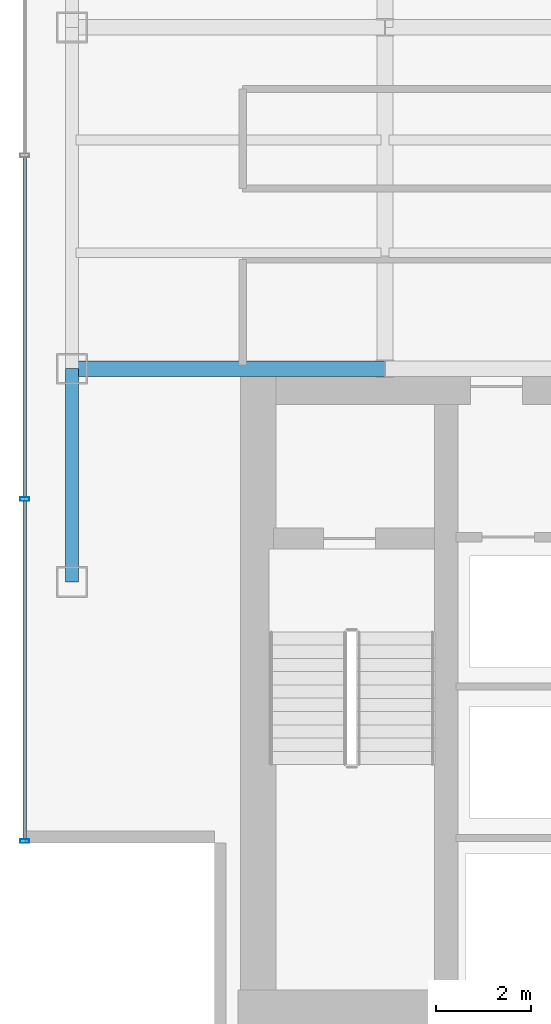
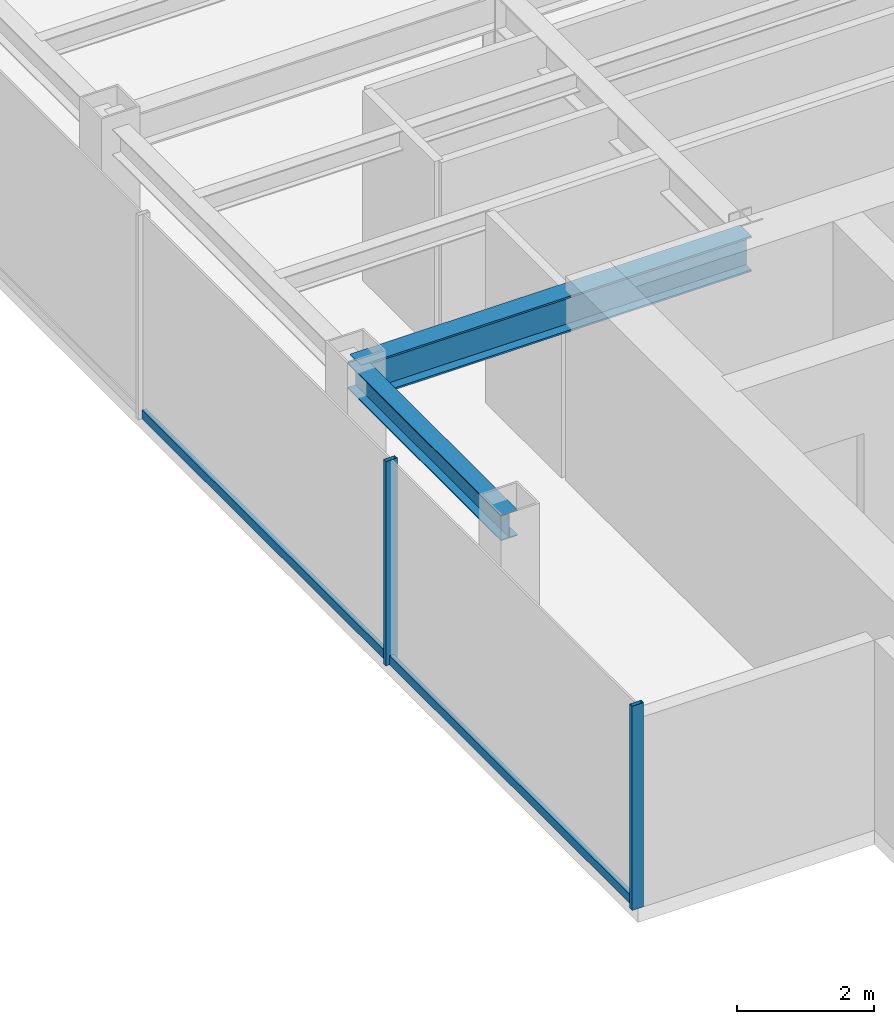
# One storey, part 3 of 25: 4 members, 2 beams, 1 element without a shape of its own.
"""IFC4 building model written with IfcOpenShell, lengths in metres."""

from ifc_helpers import new_model, si_unit, derived_unit, direction, frame, origin, origin_2d, place, context, subcontext, project, spatial, hollow_rectangle, i_section, extrude, source, transform, mapped, material, material_profile, profile_set, type_object, element, aggregate, save


model = new_model("IFC4")

# Units and contexts
model_context = context("Model", 3, precision=1e-05, world=origin(), true_north=direction((0.0, 1.0)))
body_context = subcontext(model_context, "Body", "Model", "MODEL_VIEW")
ifc_project = project(units=[si_unit("LENGTHUNIT", "METRE"), si_unit("AREAUNIT", "SQUARE_METRE"), si_unit("VOLUMEUNIT", "CUBIC_METRE"), si_unit("PLANEANGLEUNIT", "RADIAN"), si_unit("MASSUNIT", "GRAM", prefix="KILO"), derived_unit("THERMALTRANSMITTANCEUNIT", [(si_unit("POWERUNIT", "WATT"), 1), (si_unit("LENGTHUNIT", "METRE"), -2), (si_unit("THERMODYNAMICTEMPERATUREUNIT", "KELVIN"), -1)])], contexts=[model_context])

# Site, building, storey
site_placement = place(None, origin())
site = spatial("IfcSite", under=ifc_project, at=site_placement, CompositionType="ELEMENT")
building_placement = place(site_placement, origin())
building = spatial("IfcBuilding", under=site, at=building_placement, Name="Skarnbrae Concourse Arena and Tower", CompositionType="ELEMENT")
storey_placement = place(building_placement, frame((0.0, 0.0, 177.10009765625)))
storey = spatial("IfcBuildingStorey", under=building, at=storey_placement, Name="L45", CompositionType="ELEMENT", Elevation=177.10009765625)

# Beams
ifc_material_1 = material(Name="Steel CSA G40.21 350W", Category="steel")
ifc_material_profile_1 = material_profile(ifc_material_1, i_section(OverallWidth=0.3291015625, OverallDepth=0.635009765625, WebThickness=0.017822265625, FlangeThickness=0.031005859375, at=origin_2d()), Name="W610X241")
ifc_profile_set_1 = profile_set([ifc_material_profile_1], Name="Steel CSA G40.21 350W")
beam_type_1 = type_object("IfcBeamType", Name="BM-GIRD-W610X241", PredefinedType="BEAM", material=ifc_profile_set_1)
shared_shape_1 = source(origin(), body_context, "Body", "SweptSolid", [
    extrude(i_section(OverallWidth=0.3291015625, OverallDepth=0.635009765625, WebThickness=0.017822265625, FlangeThickness=0.031005859375, at=origin_2d()), origin(), (0.0, 0.0, 1.0), 6.60009765625),
])
beam_1_placement = place(storey_placement, frame((1.0, 14.0, 3.08251953125), z_axis=(1.0, 0.0, 0.0), x_axis=(0.0, 1.0, 0.0)))
element("IfcBeam", 1, at=beam_1_placement, inside=storey, type_object=beam_type_1, Name="L45 Primary E-W girder Y14.0-1", PredefinedType="BEAM", context=body_context, shape_type="MappedRepresentation", body=[
    mapped(shared_shape_1, transform((0.0, 0.0, 0.0))),
])
ifc_material_profile_2 = material_profile(ifc_material_1, i_section(OverallWidth=0.280029296875, OverallDepth=0.462890625, WebThickness=0.0107421875, FlangeThickness=0.017333984375, at=origin_2d()), Name="W460X113")
ifc_profile_set_2 = profile_set([ifc_material_profile_2], Name="Steel CSA G40.21 350W")
beam_type_2 = type_object("IfcBeamType", Name="BM-SPAN-W460X113", PredefinedType="SPANDREL", material=ifc_profile_set_2)
shared_shape_2 = source(origin(), body_context, "Body", "SweptSolid", [
    extrude(i_section(OverallWidth=0.280029296875, OverallDepth=0.462890625, WebThickness=0.0107421875, FlangeThickness=0.017333984375, at=origin_2d()), origin(), (0.0, 0.0, 1.0), 4.5),
])
beam_2_placement = place(storey_placement, frame((1.0, 9.5, 3.16845703125), z_axis=(0.0, 1.0, 0.0), x_axis=(-1.0, 0.0, 0.0)))
element("IfcBeam", 2, at=beam_2_placement, inside=storey, type_object=beam_type_2, Name="L45 Perimeter spandrel X1.0-1", PredefinedType="SPANDREL", context=body_context, shape_type="MappedRepresentation", body=[
    mapped(shared_shape_2, transform((0.0, 0.0, 0.0))),
])

# Curtain wall, members
ifc_material_2 = material(Name="Bronze anodised aluminium 6063-T6", Category="aluminium")
curtain_wall_type = type_object("IfcCurtainWallType", Name="CW-SYS-04-MIDZONE", PredefinedType="USERDEFINED", material=ifc_material_2)
curtain_wall_placement = place(storey_placement, origin())
curtain_wall = element("IfcCurtainWall", 3, at=curtain_wall_placement, inside=storey, type_object=curtain_wall_type, Name="L45 Unitised curtain wall CW-L45-E18", ObjectType="UNITISED CURTAIN WALL", PredefinedType="USERDEFINED")
ifc_material_profile_3 = material_profile(ifc_material_2, hollow_rectangle(XDim=0.074951171875, YDim=0.195068359375, WallThickness=0.00439453125, at=origin_2d()), Name="ALU-MULL-75X195")
ifc_profile_set_3 = profile_set([ifc_material_profile_3], Name="Bronze anodised aluminium 6063-T6")
member_type_1 = type_object("IfcMemberType", Name="CWM-CW-04", PredefinedType="MULLION", material=ifc_profile_set_3)
shared_shape_3 = source(origin(), body_context, "Body", "SweptSolid", [
    extrude(hollow_rectangle(XDim=0.074951171875, YDim=0.195068359375, WallThickness=0.00439453125, at=origin_2d()), origin(), (0.0, 0.0, 1.0), 3.64990234375),
])
member_1_placement = place(storey_placement, frame((0.0, 11.25, 0.0), z_axis=(0.0, 0.0, 1.0), x_axis=(0.0, -1.0, 0.0)))
member_1 = element("IfcMember", 4, at=member_1_placement, type_object=member_type_1, Name="CW-L45-E18 Mullion 4", PredefinedType="MULLION", context=body_context, shape_type="MappedRepresentation", body=[
    mapped(shared_shape_3, transform((0.0, 0.0, 0.0))),
])
member_2_placement = place(storey_placement, frame((0.0, 4.03759765625, 0.0), z_axis=(0.0, 0.0, 1.0), x_axis=(0.0, -1.0, 0.0)))
member_2 = element("IfcMember", 5, at=member_2_placement, type_object=member_type_1, Name="CW-L45-E18 Mullion 5", PredefinedType="MULLION", context=body_context, shape_type="MappedRepresentation", body=[
    mapped(shared_shape_3, transform((0.0, 0.0, 0.0))),
])
ifc_material_profile_4 = material_profile(ifc_material_2, hollow_rectangle(XDim=0.074951171875, YDim=0.159912109375, WallThickness=0.00439453125, at=origin_2d()), Name="ALU-TRAN-75X160")
ifc_profile_set_4 = profile_set([ifc_material_profile_4], Name="Bronze anodised aluminium 6063-T6")
member_type_2 = type_object("IfcMemberType", Name="CWT-CW-04", PredefinedType="USERDEFINED", material=ifc_profile_set_4)
shared_shape_4 = source(origin(), body_context, "Body", "SweptSolid", [
    extrude(hollow_rectangle(XDim=0.074951171875, YDim=0.159912109375, WallThickness=0.00439453125, at=origin_2d()), origin(), (0.0, 0.0, 1.0), 7.137451171875),
])
member_3_placement = place(storey_placement, frame((0.0, 11.21240234375, 0.079833984375), z_axis=(0.0, -1.0, 0.0), x_axis=(1.0, 0.0, 0.0)))
member_3 = element("IfcMember", 6, at=member_3_placement, type_object=member_type_2, Name="CW-L45-E18 Transom 4", ObjectType="TRANSOM", PredefinedType="USERDEFINED", context=body_context, shape_type="MappedRepresentation", body=[
    mapped(shared_shape_4, transform((0.0, 0.0, 0.0))),
])
shared_shape_5 = source(origin(), body_context, "Body", "SweptSolid", [
    extrude(hollow_rectangle(XDim=0.074951171875, YDim=0.159912109375, WallThickness=0.00439453125, at=origin_2d()), origin(), (0.0, 0.0, 1.0), 7.1748046875),
])
member_4_placement = place(storey_placement, frame((0.0, 18.46240234375, 0.079833984375), z_axis=(0.0, -1.0, 0.0), x_axis=(1.0, 0.0, 0.0)))
member_4 = element("IfcMember", 7, at=member_4_placement, type_object=member_type_2, Name="CW-L45-E18 Transom 3", ObjectType="TRANSOM", PredefinedType="USERDEFINED", context=body_context, shape_type="MappedRepresentation", body=[
    mapped(shared_shape_5, transform((0.0, 0.0, 0.0))),
])
aggregate(curtain_wall, [member_1, member_2, member_4, member_3])

save(model, "model.ifc")
